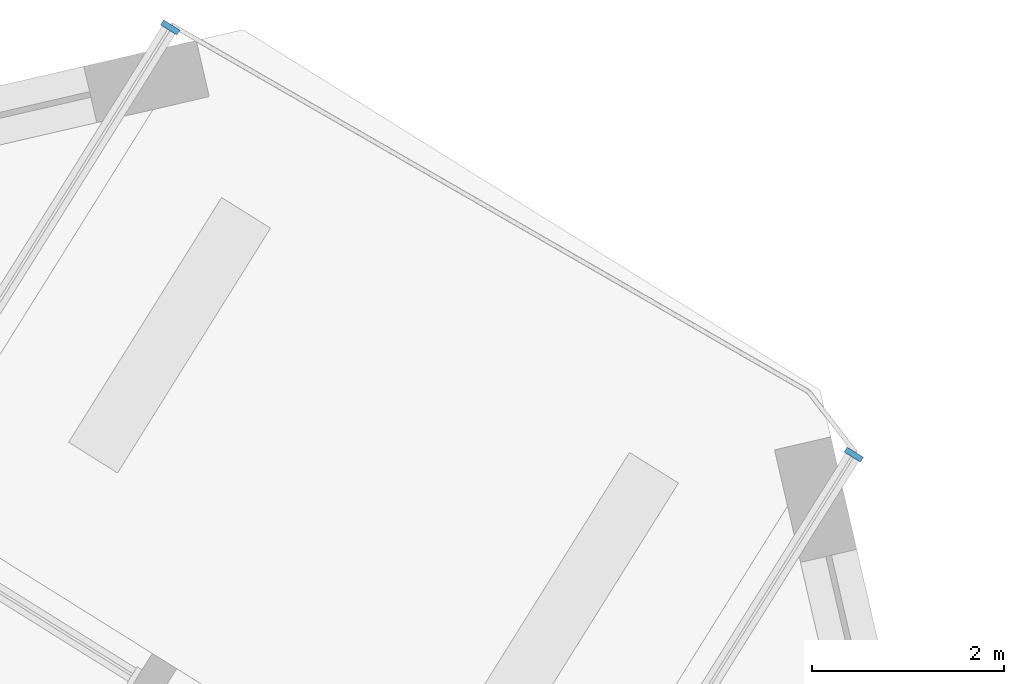
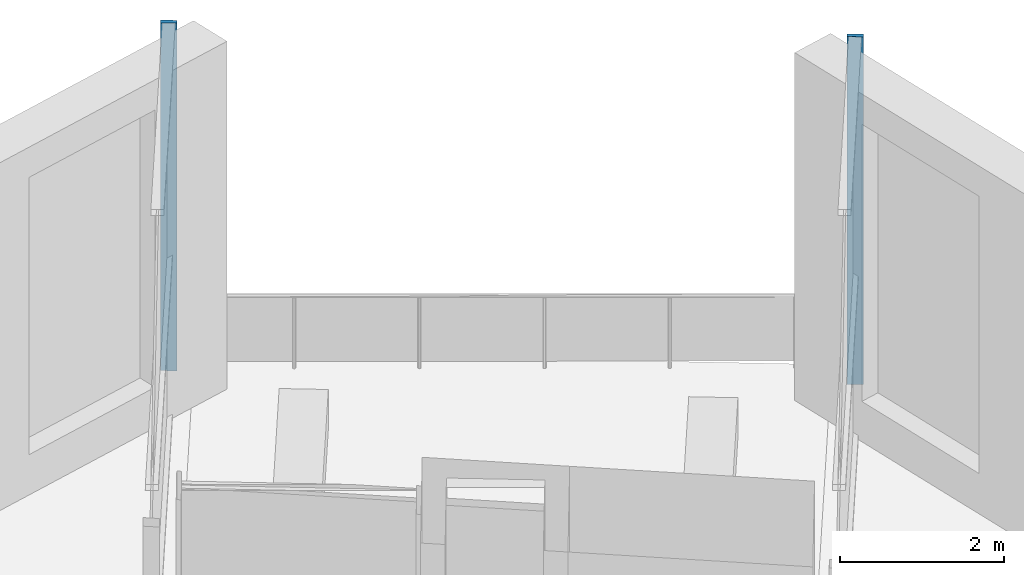
# One storey, part 6 of 17: 2 members, 2 elements without a shape of their own.
"""IFC4 building model written with IfcOpenShell, lengths in metres."""

import ifcopenshell
import ifcopenshell.guid

model = None  # the IFC model being written
_history = None  # IfcOwnerHistory: only IFC2X3 demands one
_inside = {}  # id of a spatial element -> (the spatial element, [elements in it])
_under = {}  # id of a project, library or spatial element -> (it, [spatial elements below it])
_declared = {}  # id of a project -> (the project, [libraries it declares])
_typed = {}  # id of a type object -> (the type object, [elements of that type])
_made_of = {}  # id of a material, layer set ... -> (it, [elements and type objects made of it])


def new_model(schema):
    """Start an empty IFC model of exactly this schema.

    Asked for "IFC4X3", IfcOpenShell would pick the latest addendum, in which some entities
    have other attributes; the version numbers below select the first issue.
    IFC2X3 requires an IfcOwnerHistory on every rooted entity: one is made here for all.
    """
    global model, _history
    if schema == "IFC4X3":
        model = ifcopenshell.file(schema_version=(4, 3, 0, 0))
    else:
        model = ifcopenshell.file(schema=schema)
    _inside.clear()
    _under.clear()
    _declared.clear()
    _typed.clear()
    _made_of.clear()
    _history = None
    if model.schema == "IFC2X3":
        org = make("IfcOrganization", Name="unknown")
        user = make(
            "IfcPersonAndOrganization",
            ThePerson=make("IfcPerson", FamilyName="unknown"),
            TheOrganization=org,
        )
        app = make(
            "IfcApplication",
            ApplicationDeveloper=org,
            Version="unknown",
            ApplicationFullName="unknown",
            ApplicationIdentifier="unknown",
        )
        _history = make(
            "IfcOwnerHistory",
            OwningUser=user,
            OwningApplication=app,
            ChangeAction="ADDED",
            CreationDate=0,
        )
    return model


def make(cls, **values):
    """One entity of the class cls with the attributes given. An attribute that is None is left unset."""
    return model.create_entity(
        cls, **{name: value for name, value in values.items() if value is not None}
    )


def rooted(cls, **values):
    """An entity with a GlobalId (a new one), such as an element, a storey or a relation."""
    return make(cls, GlobalId=ifcopenshell.guid.new(), OwnerHistory=_history, **values)


def si_unit(unit_type, name, prefix=None):
    """IfcSIUnit, for example si_unit("LENGTHUNIT", "METRE", prefix="MILLI")."""
    return make("IfcSIUnit", UnitType=unit_type, Prefix=prefix, Name=name)


def assignment(units):
    """IfcUnitAssignment: the units of a project."""
    return None if units is None else make("IfcUnitAssignment", Units=units)


def point(xyz):
    """IfcCartesianPoint."""
    return None if xyz is None else make("IfcCartesianPoint", Coordinates=xyz)


def direction(xyz):
    """IfcDirection."""
    return None if xyz is None else make("IfcDirection", DirectionRatios=xyz)


def frame(location, z_axis=None, x_axis=None):
    """IfcAxis2Placement3D, a coordinate frame: its origin and axes. An axis left out is left unset."""
    return make(
        "IfcAxis2Placement3D",
        Location=point(location),
        Axis=direction(z_axis),
        RefDirection=direction(x_axis),
    )


def frame_2d(location, x_axis=None):
    """IfcAxis2Placement2D, a coordinate frame in the plane: its origin and x axis."""
    return make(
        "IfcAxis2Placement2D", Location=point(location), RefDirection=direction(x_axis)
    )


def origin():
    """The frame at (0, 0, 0) with its axes left unset."""
    return frame((0.0, 0.0, 0.0))


def origin_2d():
    """The frame at (0, 0) in the plane with its x axis left unset."""
    return frame_2d((0.0, 0.0))


def place(relative_to, where):
    """IfcLocalPlacement: puts the frame where relative to a parent placement (None: the world)."""
    return make(
        "IfcLocalPlacement", PlacementRelTo=relative_to, RelativePlacement=where
    )


def context(
    kind, dimensions, precision=None, world=None, true_north=None, identifier=None
):
    """IfcGeometricRepresentationContext, for example the 3D "Model" context."""
    return make(
        "IfcGeometricRepresentationContext",
        ContextIdentifier=identifier,
        ContextType=kind,
        CoordinateSpaceDimension=dimensions,
        Precision=precision,
        WorldCoordinateSystem=world,
        TrueNorth=true_north,
    )


def subcontext(parent, identifier, kind, view, scale=None):
    """IfcGeometricRepresentationSubContext, for example "Body" below "Model"."""
    return make(
        "IfcGeometricRepresentationSubContext",
        ContextIdentifier=identifier,
        ContextType=kind,
        ParentContext=parent,
        TargetScale=scale,
        TargetView=view,
    )


def project(units=None, contexts=None):
    """IfcProject with its units and contexts."""
    return rooted(
        "IfcProject",
        Name="project",
        RepresentationContexts=contexts,
        UnitsInContext=assignment(units),
    )


def spatial(cls, under=None, at=None, **own):
    """A site, building, storey or space (cls), placed at a placement, below another one or the project."""
    s = rooted(cls, ObjectPlacement=at, **own)
    if under is not None:
        _under.setdefault(under.id(), (under, []))[1].append(s)
    return s


def profile(cls, at=None, kind="AREA", **sizes):
    """A parametric profile (cls). Its sizes go by their IFC names, for example OverallWidth=200.0."""
    return make(cls, ProfileType=kind, Position=at, **sizes)


def rectangle(**sizes):
    """IfcRectangleProfileDef."""
    return profile("IfcRectangleProfileDef", **sizes)


def extrude(swept, where, along, depth):
    """IfcExtrudedAreaSolid: the profile swept, set in the frame where, extruded along a direction by depth."""
    return make(
        "IfcExtrudedAreaSolid",
        SweptArea=swept,
        Position=where,
        ExtrudedDirection=direction(along),
        Depth=depth,
    )


def shape(context_of_items, identifier, shape_type, items):
    """IfcShapeRepresentation: the items that make up one representation, for example the "Body"."""
    return make(
        "IfcShapeRepresentation",
        ContextOfItems=context_of_items,
        RepresentationIdentifier=identifier,
        RepresentationType=shape_type,
        Items=items,
    )


def material(Name=None, Category=None):
    """IfcMaterial."""
    return make("IfcMaterial", Name=Name, Category=Category)


def material_profile(
    of_material, cross_section, Name=None, Category=None, Priority=None
):
    """IfcMaterialProfile: a cross section and its material."""
    return make(
        "IfcMaterialProfile",
        Name=Name,
        Material=of_material,
        Profile=cross_section,
        Priority=Priority,
        Category=Category,
    )


def profile_set(profiles, Name=None, composite=None):
    """IfcMaterialProfileSet."""
    return make(
        "IfcMaterialProfileSet",
        Name=Name,
        MaterialProfiles=profiles,
        CompositeProfile=composite,
    )


def made_of(thing, what):
    """Note that an element or type object is made of a material, layer set ...; save() writes the relation."""
    if what is not None:
        _made_of.setdefault(what.id(), (what, []))[1].append(thing)
    return thing


def type_object(cls, material=None, **own):
    """A type object (cls), such as IfcWallType, which elements share."""
    return made_of(rooted(cls, **own), material)


def element(
    cls,
    number,
    at=None,
    inside=None,
    cuts=None,
    type_object=None,
    material=None,
    context=None,
    identifier="Body",
    shape_type=None,
    held_by="IfcProductDefinitionShape",
    body=None,
    shapes=None,
    **own,
):
    """One element of the class cls, such as IfcWall. Its Tag is "e" and its number.

    at: its placement. inside: the storey or other place that contains it. cuts: it is an
    opening in that element (IfcRelVoidsElement). A single representation is given by context,
    identifier, shape_type and body (its items); several are given by shapes. held_by: the class
    of the entity that holds the representations. save() writes the other relations.
    """
    e = rooted(cls, Tag="e%d" % number, ObjectPlacement=at, **own)
    if body is not None:
        shapes = [shape(context, identifier, shape_type, body)]
    if shapes is not None:
        e.Representation = make(held_by, Representations=shapes)
    if inside is not None:
        _inside.setdefault(inside.id(), (inside, []))[1].append(e)
    if cuts is not None:
        rooted(
            "IfcRelVoidsElement", RelatingBuildingElement=cuts, RelatedOpeningElement=e
        )
    if type_object is not None:
        _typed.setdefault(type_object.id(), (type_object, []))[1].append(e)
    return made_of(e, material)


def aggregate(whole, parts):
    """IfcRelAggregates: a whole, such as a stair, and the parts it consists of."""
    return rooted("IfcRelAggregates", RelatingObject=whole, RelatedObjects=parts)


def save(model, path):
    """Write the relations noted so far, then the file.

    IfcRelAggregates (storeys below a building ...), IfcRelContainedInSpatialStructure (elements
    in a storey), IfcRelDefinesByType, IfcRelAssociatesMaterial and IfcRelDeclares: one each for
    every whole, place, type object, material and project.
    """
    for whole, parts in _under.values():
        aggregate(whole, parts)
    for where, things in _inside.values():
        rooted(
            "IfcRelContainedInSpatialStructure",
            RelatedElements=things,
            RelatingStructure=where,
        )
    for kind, things in _typed.values():
        rooted("IfcRelDefinesByType", RelatedObjects=things, RelatingType=kind)
    for what, things in _made_of.values():
        rooted("IfcRelAssociatesMaterial", RelatedObjects=things, RelatingMaterial=what)
    for by, libraries in _declared.values():
        rooted("IfcRelDeclares", RelatingContext=by, RelatedDefinitions=libraries)
    model.write(path)


model = new_model("IFC4")

# Units and contexts
model_context = context("Model", 3, precision=1e-05, world=origin(), true_north=direction((0.0, 1.0)))
body_context = subcontext(model_context, "Body", "Model", "MODEL_VIEW")
ifc_project = project(units=[si_unit("LENGTHUNIT", "METRE"), si_unit("AREAUNIT", "SQUARE_METRE"), si_unit("VOLUMEUNIT", "CUBIC_METRE"), si_unit("PLANEANGLEUNIT", "RADIAN"), si_unit("MASSUNIT", "GRAM", prefix="KILO")], contexts=[model_context])

# Site, building, storey
site_placement = place(None, origin())
site = spatial("IfcSite", under=ifc_project, at=site_placement, CompositionType="ELEMENT")
building_placement = place(site_placement, origin())
building = spatial("IfcBuilding", under=site, at=building_placement, Name="Dilmun Exchange Tower", CompositionType="ELEMENT")
storey_placement = place(building_placement, frame((0.0, 0.0, 76.5)))
storey = spatial("IfcBuildingStorey", under=building, at=storey_placement, Name="L17", CompositionType="ELEMENT", Elevation=76.5)

# Curtain wall, member
ifc_material_1 = material(Name="Anodised aluminium and clear glass", Category="aluminium")
curtain_wall_type = type_object("IfcCurtainWallType", Name="Garden corner glazing", PredefinedType="NOTDEFINED", material=ifc_material_1)
curtain_wall_1_placement = place(storey_placement, origin())
curtain_wall_1 = element("IfcCurtainWall", 1, at=curtain_wall_1_placement, inside=storey, type_object=curtain_wall_type, Name="Garden corner glazing run GC1.1", PredefinedType="NOTDEFINED")
ifc_material_2 = material(Name="Anodised aluminium", Category="aluminium")
ifc_material_profile = material_profile(ifc_material_2, rectangle(XDim=0.199951171875, YDim=0.06005859375, at=origin_2d()), Name="AL 60x200")
ifc_profile_set = profile_set([ifc_material_profile], Name="Anodised aluminium")
member_type = type_object("IfcMemberType", Name="Garden corner glazing mullion 60 x 200", PredefinedType="MULLION", material=ifc_profile_set)
member_1_placement = place(storey_placement, frame((23.958251953125, 30.436279296875, 0.0), z_axis=(0.0, 0.0, 1.0), x_axis=(0.8480495651, -0.529916913426, 0.0)))
member_1 = element("IfcMember", 2, at=member_1_placement, type_object=member_type, Name="GC1.1 mullion 1", PredefinedType="MULLION", context=body_context, shape_type="SweptSolid", body=[
    extrude(rectangle(XDim=0.199951171875, YDim=0.06005859375, at=origin_2d()), origin(), (0.0, 0.0, 1.0), 5.179931640625),
])
aggregate(curtain_wall_1, [member_1])

curtain_wall_2_placement = place(storey_placement, origin())
curtain_wall_2 = element("IfcCurtainWall", 3, at=curtain_wall_2_placement, inside=storey, type_object=curtain_wall_type, Name="Garden corner glazing run GC3.1", PredefinedType="NOTDEFINED")
member_2_placement = place(storey_placement, frame((16.853271484375, 34.8759765625, 0.0), z_axis=(0.0, 0.0, 1.0), x_axis=(-0.8480495651, 0.529916913426, 0.0)))
member_2 = element("IfcMember", 4, at=member_2_placement, type_object=member_type, Name="GC3.1 mullion 2", PredefinedType="MULLION", context=body_context, shape_type="SweptSolid", body=[
    extrude(rectangle(XDim=0.199951171875, YDim=0.06005859375, at=origin_2d()), origin(), (0.0, 0.0, 1.0), 5.179931640625),
])
aggregate(curtain_wall_2, [member_2])

save(model, "model.ifc")
